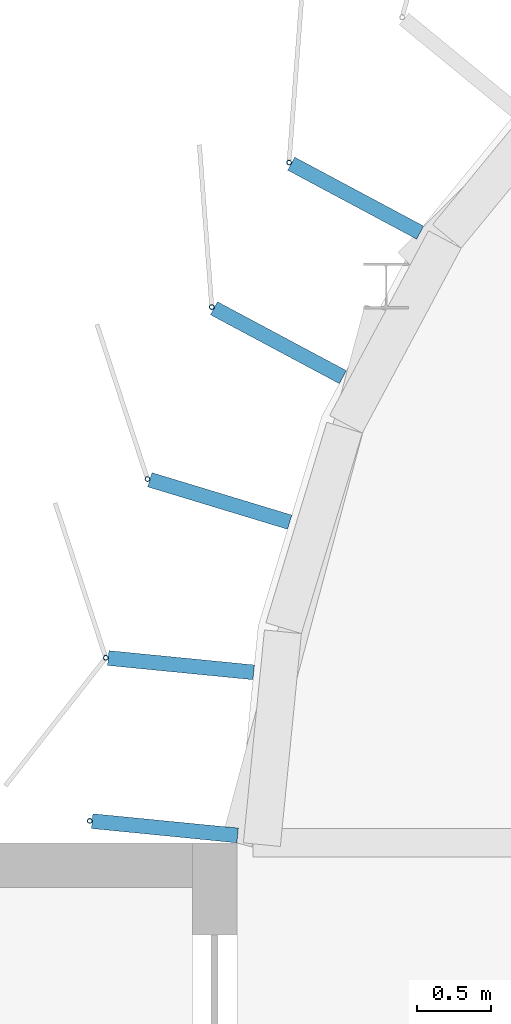
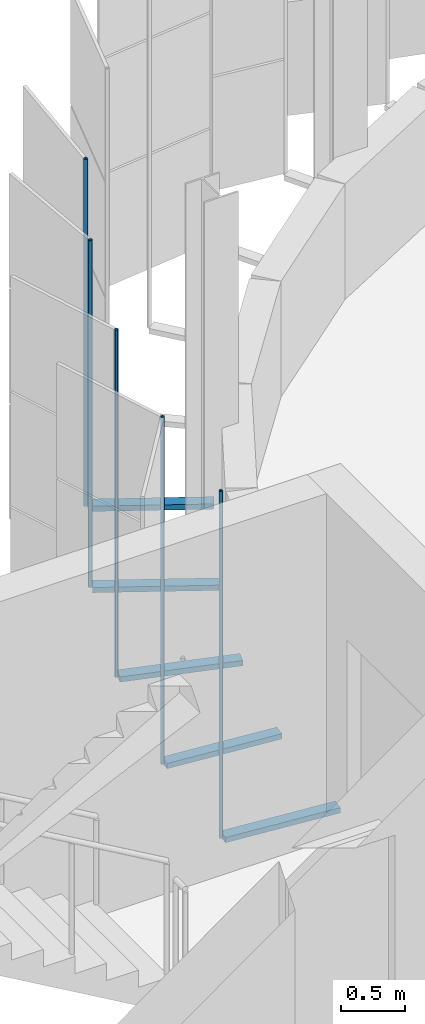
# One storey, part 145 of 214: 10 discrete accessories.
"""IFC4 building model written with IfcOpenShell, lengths in metres."""

from ifc_helpers import new_model, si_unit, direction, frame, origin, origin_2d, place, context, subcontext, project, spatial, rectangle, hollow_circle, extrude, material, material_profile, profile_set, type_object, element, save


model = new_model("IFC4")

# Units and contexts
model_context = context("Model", 3, precision=1e-05, world=origin(), true_north=direction((0.0, 1.0)))
body_context = subcontext(model_context, "Body", "Model", "MODEL_VIEW")
ifc_project = project(units=[si_unit("LENGTHUNIT", "METRE"), si_unit("AREAUNIT", "SQUARE_METRE"), si_unit("VOLUMEUNIT", "CUBIC_METRE"), si_unit("PLANEANGLEUNIT", "RADIAN"), si_unit("MASSUNIT", "GRAM", prefix="KILO")], contexts=[model_context])

# Site, building, storey
site_placement = place(None, origin())
site = spatial("IfcSite", under=ifc_project, at=site_placement, CompositionType="ELEMENT")
building_placement = place(site_placement, origin())
building = spatial("IfcBuilding", under=site, at=building_placement, Name="Parallax Yard Mobility Hub", CompositionType="ELEMENT")
storey_placement = place(building_placement, frame((0.0, 0.0, 3.300048828125)))
storey = spatial("IfcBuildingStorey", under=building, at=storey_placement, Name="L01", CompositionType="ELEMENT", Elevation=3.300048828125)

# Discrete accessories
ifc_material_1 = material(Name="Steel ASTM A36, hot-dip galvanised", Category="steel")
discrete_accessory_type_1 = type_object("IfcDiscreteAccessoryType", Name="Hinge bracket plate 100x50", PredefinedType="BRACKET", material=ifc_material_1)
for number, where, z_axis, x_axis, name in (
    (1, (23.30029296875, 139.341796875, -0.02490234375), (0.0, 0.0, 1.0), (-0.881921264348, 0.471396736826, 0.0), "Hinge bracket plate bay 70.8 level L01"),
    (2, (22.77978515625, 138.368408203125, -0.02490234375), (0.0, 0.0, 1.0), (-0.881921264348, 0.471396736826, 0.0), "Hinge bracket plate bay 70.9 level L01"),
    (3, (22.385009765625, 137.302490234375, -0.02490234375), (0.0, 0.0, 1.0), (-0.956940335732, 0.290284677254, 0.0), "Hinge bracket plate bay 70.10 level L01"),
    (4, (22.123779296875, 136.196533203125, -0.02490234375), (0.0, 0.0, 1.0), (-0.995184726672, 0.09801714033, 0.0), "Hinge bracket plate bay 70.11 level L01"),
    (5, (22.015625, 135.09814453125, -0.02490234375), (0.0, 0.0, 1.0), (-0.995184726672, 0.09801714033, 0.0), "Hinge bracket plate bay 70.12 level L01"),
):
    element("IfcDiscreteAccessory", number, at=place(storey_placement, frame(where, z_axis=z_axis, x_axis=x_axis)), inside=storey, type_object=discrete_accessory_type_1, Name=name, PredefinedType="BRACKET", context=body_context, shape_type="SweptSolid", body=[
        extrude(rectangle(XDim=0.984130859375, YDim=0.10009765625, at=origin_2d()), origin(), (0.0, 0.0, 1.0), 0.050048828125),
    ])
ifc_material_2 = material(Name="Steel ASTM A500 Gr C, hot-dip galvanised", Category="steel")
ifc_material_profile = material_profile(ifc_material_2, hollow_circle(Radius=0.016845703125, WallThickness=0.003173828125, at=origin_2d()), Name="CHS 33.7x3.2")
ifc_profile_set = profile_set([ifc_material_profile], Name="Steel ASTM A500 Gr C, hot-dip galvanised")
discrete_accessory_type_2 = type_object("IfcDiscreteAccessoryType", Name="Hinge post CHS 33.7x3.2", PredefinedType="BRACKET", material=ifc_profile_set)
for number, where, z_axis, x_axis, name in (
    (6, (22.851806640625, 139.58154296875, 0.0), (0.0, 0.0, 1.0), (1.0, 0.0, 0.0), "Hinge post bay 70.8 level L01"),
    (7, (22.33154296875, 138.608154296875, 0.0), (0.0, 0.0, 1.0), (1.0, 0.0, 0.0), "Hinge post bay 70.9 level L01"),
    (8, (21.8984375, 137.4501953125, 0.0), (0.0, 0.0, 1.0), (1.0, 0.0, 0.0), "Hinge post bay 70.10 level L01"),
    (9, (21.617919921875, 136.246337890625, 0.0), (0.0, 0.0, 1.0), (1.0, 0.0, 0.0), "Hinge post bay 70.11 level L01"),
    (10, (21.509765625, 135.14794921875, 0.0), (0.0, 0.0, 1.0), (1.0, 0.0, 0.0), "Hinge post bay 70.12 level L01"),
):
    element("IfcDiscreteAccessory", number, at=place(storey_placement, frame(where, z_axis=z_axis, x_axis=x_axis)), inside=storey, type_object=discrete_accessory_type_2, Name=name, PredefinedType="BRACKET", context=body_context, shape_type="SweptSolid", body=[
        extrude(hollow_circle(Radius=0.016845703125, WallThickness=0.003173828125, at=origin_2d()), origin(), (0.0, 0.0, 1.0), 3.300048828125),
    ])

save(model, "model.ifc")
